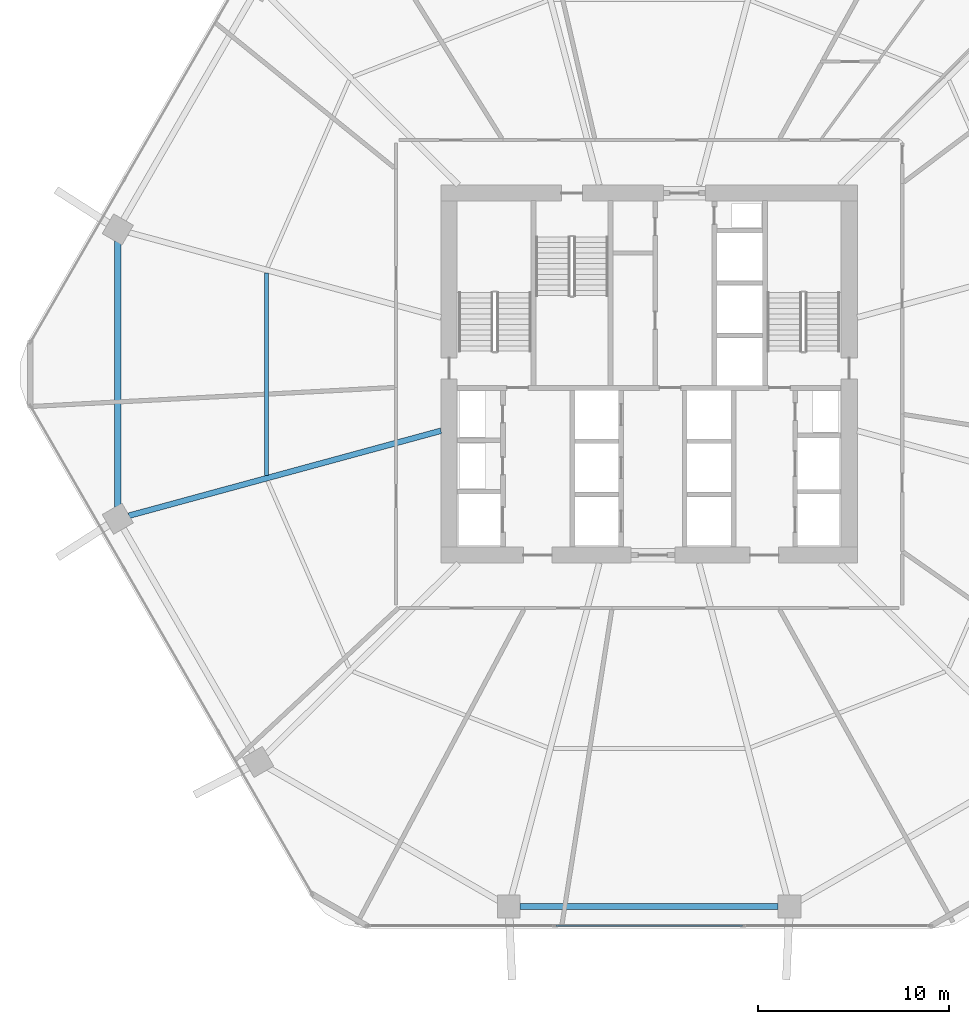
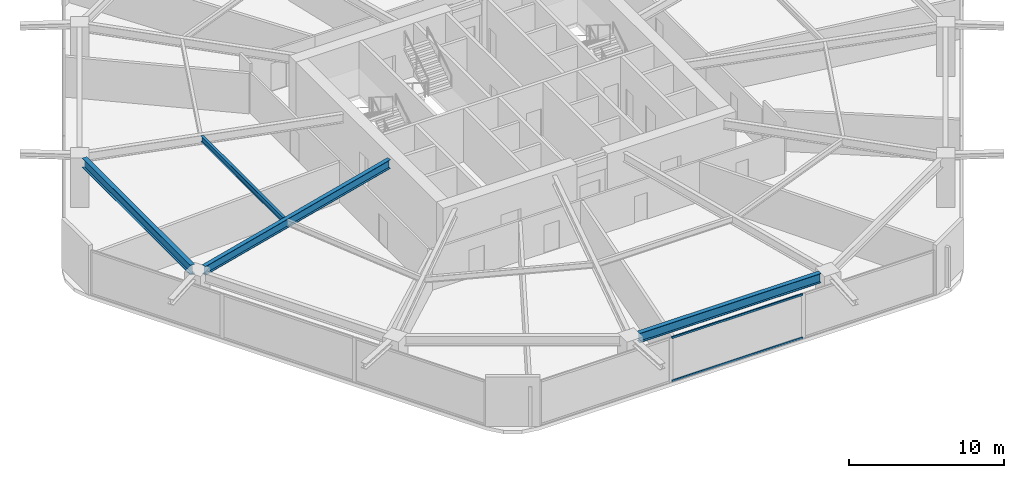
# One storey, part 6 of 26: 4 beams, 2 members, 1 element without a shape of its own.
"""IFC4 building model written with IfcOpenShell, lengths in metres."""

from ifc_helpers import new_model, si_unit, direction, frame, origin, origin_2d, place, context, subcontext, project, spatial, hollow_rectangle, i_section, extrude, material, material_profile, profile_set, type_object, element, aggregate, save


model = new_model("IFC4")

# Units and contexts
model_context = context("Model", 3, precision=1e-05, world=origin(), true_north=direction((0.0, 1.0)))
body_context = subcontext(model_context, "Body", "Model", "MODEL_VIEW")
ifc_project = project(units=[si_unit("LENGTHUNIT", "METRE"), si_unit("AREAUNIT", "SQUARE_METRE"), si_unit("VOLUMEUNIT", "CUBIC_METRE"), si_unit("PLANEANGLEUNIT", "RADIAN"), si_unit("MASSUNIT", "GRAM", prefix="KILO")], contexts=[model_context])

# Site, building, storey
site_placement = place(None, origin())
site = spatial("IfcSite", under=ifc_project, at=site_placement, CompositionType="ELEMENT")
building_placement = place(site_placement, origin())
building = spatial("IfcBuilding", under=site, at=building_placement, Name="Zuhravey Tower", CompositionType="ELEMENT")
storey_placement = place(building_placement, frame((0.0, 0.0, 28.800048828125)))
storey = spatial("IfcBuildingStorey", under=building, at=storey_placement, Name="L07", CompositionType="ELEMENT", Elevation=28.800048828125)

# Curtain wall, members
ifc_material_1 = material(Name="Thermally broken anodised aluminium", Category="aluminium")
curtain_wall_type = type_object("IfcCurtainWallType", Name="School Low-E Unitised Curtain Wall CW1", PredefinedType="NOTDEFINED", material=ifc_material_1)
curtain_wall_placement = place(storey_placement, origin())
curtain_wall = element("IfcCurtainWall", 1, at=curtain_wall_placement, inside=storey, type_object=curtain_wall_type, Name="L07 CW1 CW-L07-F5-1", PredefinedType="NOTDEFINED")
ifc_material_2 = material(Name="Anodised aluminium", Category="aluminium")
ifc_material_profile_1 = material_profile(ifc_material_2, hollow_rectangle(XDim=0.090087890625, YDim=0.14990234375, WallThickness=0.0048828125, at=origin_2d()), Name="ALU-RHS-90x150x5")
ifc_profile_set_1 = profile_set([ifc_material_profile_1], Name="Anodised aluminium")
member_type = type_object("IfcMemberType", Name="Curtain-Wall Transom 90x150", PredefinedType="USERDEFINED", material=ifc_profile_set_1)
member_1_placement = place(storey_placement, frame((40.88818359375, 3.04150390625, 0.044921875), z_axis=(-1.0, 0.0, 0.0), x_axis=(0.0, -1.0, 0.0)))
member_1 = element("IfcMember", 2, at=member_1_placement, type_object=member_type, Name="CW1 transom 2.1", ObjectType="TRANSOM", PredefinedType="USERDEFINED", context=body_context, shape_type="SweptSolid", body=[
    extrude(hollow_rectangle(XDim=0.090087890625, YDim=0.14990234375, WallThickness=0.0048828125, at=origin_2d()), origin(), (0.0, 0.0, 1.0), 9.7763671875),
])
member_2_placement = place(storey_placement, frame((40.88818359375, 3.04150390625, 3.447021484375), z_axis=(-1.0, 0.0, 0.0), x_axis=(0.0, -1.0, 0.0)))
member_2 = element("IfcMember", 3, at=member_2_placement, type_object=member_type, Name="CW1 transom 2.2", ObjectType="TRANSOM", PredefinedType="USERDEFINED", context=body_context, shape_type="SweptSolid", body=[
    extrude(hollow_rectangle(XDim=0.090087890625, YDim=0.14990234375, WallThickness=0.0048828125, at=origin_2d()), origin(), (0.0, 0.0, 1.0), 9.7763671875),
])
aggregate(curtain_wall, [member_1, member_2])

# Beams
ifc_material_3 = material(Name="Steel SM355", Category="steel")
ifc_material_profile_2 = material_profile(ifc_material_3, i_section(OverallWidth=0.320068359375, OverallDepth=0.75, WebThickness=0.013916015625, FlangeThickness=0.02490234375, at=origin_2d()), Name="H-750x320x14x25")
ifc_profile_set_2 = profile_set([ifc_material_profile_2], Name="Steel SM355")
beam_type_1 = type_object("IfcBeamType", Name="Perimeter Ring Beam H750x320", PredefinedType="BEAM", material=ifc_profile_set_2)
beam_1_placement = place(storey_placement, frame((8.11083984375, 38.988525390625, 3.544921875), z_axis=(0.0, -1.0, 0.0), x_axis=(1.0, 0.0, 0.0)))
element("IfcBeam", 4, at=beam_1_placement, inside=storey, type_object=beam_type_1, Name="L07 PB1 BM-L07-PB-06", PredefinedType="BEAM", context=body_context, shape_type="SweptSolid", body=[
    extrude(i_section(OverallWidth=0.320068359375, OverallDepth=0.75, WebThickness=0.013916015625, FlangeThickness=0.02490234375, at=origin_2d()), origin(), (0.0, 0.0, 1.0), 13.97705078125),
])
beam_2_placement = place(storey_placement, frame((29.23291015625, 4.051513671875, 3.544921875), z_axis=(1.0, 0.0, 0.0), x_axis=(0.0, 1.0, 0.0)))
element("IfcBeam", 5, at=beam_2_placement, inside=storey, type_object=beam_type_1, Name="L07 PB1 BM-L07-PB-09", PredefinedType="BEAM", context=body_context, shape_type="SweptSolid", body=[
    extrude(i_section(OverallWidth=0.320068359375, OverallDepth=0.75, WebThickness=0.013916015625, FlangeThickness=0.02490234375, at=origin_2d()), origin(), (0.0, 0.0, 1.0), 13.5341796875),
])
ifc_material_profile_3 = material_profile(ifc_material_3, i_section(OverallWidth=0.300048828125, OverallDepth=0.699951171875, WebThickness=0.012939453125, FlangeThickness=0.02392578125, at=origin_2d()), Name="H-700x300x13x24")
ifc_profile_set_3 = profile_set([ifc_material_profile_3], Name="Steel SM355")
beam_type_2 = type_object("IfcBeamType", Name="Radial Primary Girder H700x300", PredefinedType="BEAM", material=ifc_profile_set_3)
beam_3_placement = place(storey_placement, frame((25.072021484375, 29.025390625, 3.570068359375), z_axis=(-0.964892480455, -0.26264520015, 0.0), x_axis=(0.26264520015, -0.964892480455, 0.0)))
element("IfcBeam", 6, at=beam_3_placement, inside=storey, type_object=beam_type_2, Name="L07 RG1 BM-L07-RAD-07", PredefinedType="BEAM", context=body_context, shape_type="SweptSolid", body=[
    extrude(i_section(OverallWidth=0.300048828125, OverallDepth=0.699951171875, WebThickness=0.012939453125, FlangeThickness=0.02392578125, at=origin_2d()), origin(), (0.0, 0.0, 1.0), 16.975341796875),
])
ifc_material_profile_4 = material_profile(ifc_material_3, i_section(OverallWidth=0.199951171875, OverallDepth=0.449951171875, WebThickness=0.009033203125, FlangeThickness=0.013916015625, at=origin_2d()), Name="H-450x200x9x14")
ifc_profile_set_4 = profile_set([ifc_material_profile_4], Name="Steel SM355")
beam_type_3 = type_object("IfcBeamType", Name="Secondary Floor Joist H450x200", PredefinedType="JOIST", material=ifc_profile_set_4)
beam_4_placement = place(storey_placement, frame((15.9130859375, 37.313720703125, 3.695068359375), z_axis=(0.0, -1.0, 0.0), x_axis=(1.0, 0.0, 0.0)))
element("IfcBeam", 7, at=beam_4_placement, inside=storey, type_object=beam_type_3, Name="L07 SJ1 BM-L07-SJ-06-1", PredefinedType="JOIST", context=body_context, shape_type="SweptSolid", body=[
    extrude(i_section(OverallWidth=0.199951171875, OverallDepth=0.449951171875, WebThickness=0.009033203125, FlangeThickness=0.013916015625, at=origin_2d()), origin(), (0.0, 0.0, 1.0), 10.62744140625),
])

save(model, "model.ifc")
